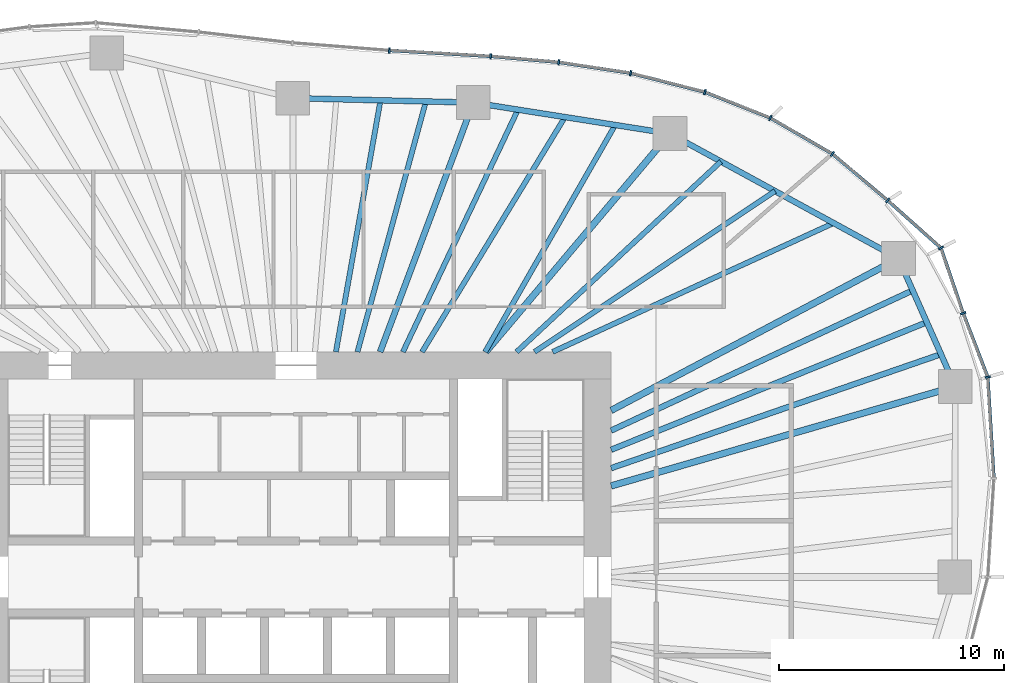
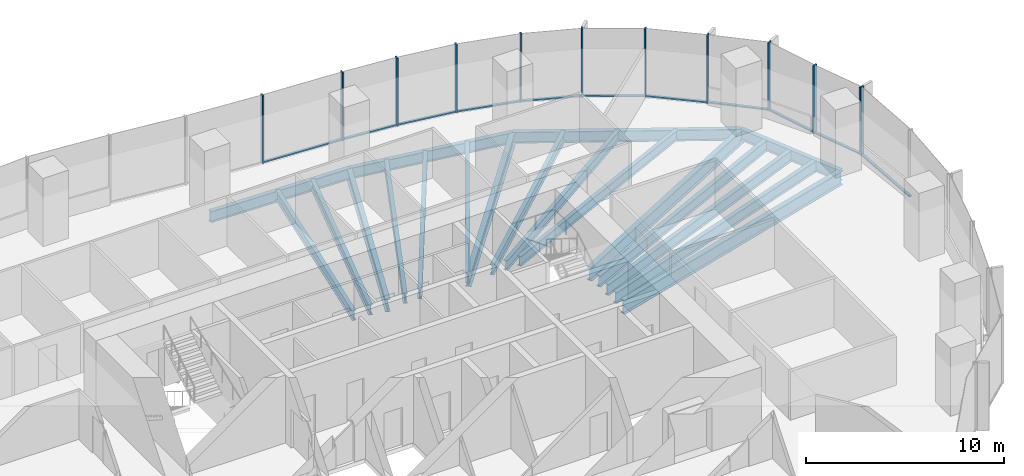
# One storey, part 6 of 18: 22 members, 19 beams, 5 elements without a shape of their own.
"""IFC4 building model written with IfcOpenShell, lengths in metres."""

from ifc_helpers import new_model, si_unit, direction, frame, origin, origin_2d, place, context, subcontext, project, spatial, rectangle, i_section, extrude, material, material_profile, profile_set, type_object, element, aggregate, save


model = new_model("IFC4")

# Units and contexts
model_context = context("Model", 3, precision=1e-05, world=origin(), true_north=direction((0.0, 1.0)))
body_context = subcontext(model_context, "Body", "Model", "MODEL_VIEW")
ifc_project = project(units=[si_unit("LENGTHUNIT", "METRE"), si_unit("AREAUNIT", "SQUARE_METRE"), si_unit("VOLUMEUNIT", "CUBIC_METRE"), si_unit("PLANEANGLEUNIT", "RADIAN"), si_unit("MASSUNIT", "GRAM", prefix="KILO")], contexts=[model_context])

# Site, building, storey
site_placement = place(None, origin())
site = spatial("IfcSite", under=ifc_project, at=site_placement, CompositionType="ELEMENT")
building_placement = place(site_placement, origin())
building = spatial("IfcBuilding", under=site, at=building_placement, Name="Ghaith Harvest Tower", CompositionType="ELEMENT")
storey_placement = place(building_placement, frame((0.0, 0.0, 113.39990234375)))
storey = spatial("IfcBuildingStorey", under=building, at=storey_placement, Name="L23", CompositionType="ELEMENT", Elevation=113.39990234375)

# Curtain wall, members
ifc_material_1 = material(Name="Black anodised aluminium and fritted glass", Category="aluminium")
curtain_wall_type = type_object("IfcCurtainWallType", Name="CW-L CURTAIN WALL", PredefinedType="NOTDEFINED", material=ifc_material_1)
curtain_wall_1_placement = place(storey_placement, origin())
curtain_wall_1 = element("IfcCurtainWall", 1, at=curtain_wall_1_placement, inside=storey, type_object=curtain_wall_type, Name="Curtain wall CW-L bay 02 L23", PredefinedType="NOTDEFINED")
ifc_material_2 = material(Name="Aluminium, black anodised", Category="aluminium")
ifc_material_profile_1 = material_profile(ifc_material_2, rectangle(XDim=0.080078125, YDim=0.239990234375, at=origin_2d()), Name="CW-L MULLION 80x240")
ifc_profile_set_1 = profile_set([ifc_material_profile_1], Name="Aluminium, black anodised")
member_type_1 = type_object("IfcMemberType", Name="CW-L MULLION 80x240", PredefinedType="MULLION", material=ifc_profile_set_1)
member_1_placement = place(storey_placement, frame((30.727294921875, 8.880859375, 0.0), z_axis=(0.0, 0.0, 1.0), x_axis=(-0.183070248196, 0.983099834313, 0.0)))
member_1 = element("IfcMember", 2, at=member_1_placement, type_object=member_type_1, Name="CW-L mullion 1 bay 02 L23", PredefinedType="MULLION", context=body_context, shape_type="SweptSolid", body=[
    extrude(rectangle(XDim=0.080078125, YDim=0.239990234375, at=origin_2d()), origin(), (0.0, 0.0, 1.0), 4.2001953125),
])
member_2_placement = place(storey_placement, frame((29.634521484375, 11.7158203125, 0.0), z_axis=(0.0, 0.0, 1.0), x_axis=(-0.340771198528, 0.940146260033, 0.0)))
member_2 = element("IfcMember", 3, at=member_2_placement, type_object=member_type_1, Name="CW-L mullion 2 bay 02 L23", PredefinedType="MULLION", context=body_context, shape_type="SweptSolid", body=[
    extrude(rectangle(XDim=0.080078125, YDim=0.239990234375, at=origin_2d()), origin(), (0.0, 0.0, 1.0), 4.2001953125),
])
member_3_placement = place(storey_placement, frame((28.64990234375, 14.61181640625, 0.0), z_axis=(0.0, 0.0, 1.0), x_axis=(-0.556324287652, 0.830965274225, 0.0)))
member_3 = element("IfcMember", 4, at=member_3_placement, type_object=member_type_1, Name="CW-L mullion 3 bay 02 L23", PredefinedType="MULLION", context=body_context, shape_type="SweptSolid", body=[
    extrude(rectangle(XDim=0.080078125, YDim=0.239990234375, at=origin_2d()), origin(), (0.0, 0.0, 1.0), 4.2001953125),
])

curtain_wall_2_placement = place(storey_placement, origin())
curtain_wall_2 = element("IfcCurtainWall", 5, at=curtain_wall_2_placement, inside=storey, type_object=curtain_wall_type, Name="Curtain wall CW-L bay 03 L23", PredefinedType="NOTDEFINED")
member_4_placement = place(storey_placement, frame((26.28076171875, 16.725341796875, 0.0), z_axis=(0.0, 0.0, 1.0), x_axis=(-0.755999423268, 0.654572281737, 0.0)))
member_4 = element("IfcMember", 6, at=member_4_placement, type_object=member_type_1, Name="CW-L mullion 1 bay 03 L23", PredefinedType="MULLION", context=body_context, shape_type="SweptSolid", body=[
    extrude(rectangle(XDim=0.080078125, YDim=0.239990234375, at=origin_2d()), origin(), (0.0, 0.0, 1.0), 4.2001953125),
])
member_5_placement = place(storey_placement, frame((23.82177734375, 18.792236328125, 0.0), z_axis=(0.0, 0.0, 1.0), x_axis=(-0.818228862146, 0.574892624018, 0.0)))
member_5 = element("IfcMember", 7, at=member_5_placement, type_object=member_type_1, Name="CW-L mullion 2 bay 03 L23", PredefinedType="MULLION", context=body_context, shape_type="SweptSolid", body=[
    extrude(rectangle(XDim=0.080078125, YDim=0.239990234375, at=origin_2d()), origin(), (0.0, 0.0, 1.0), 4.2001953125),
])
member_6_placement = place(storey_placement, frame((21.066162109375, 20.38916015625, 0.0), z_axis=(0.0, 0.0, 1.0), x_axis=(-0.899713343282, 0.436481270985, 0.0)))
member_6 = element("IfcMember", 8, at=member_6_placement, type_object=member_type_1, Name="CW-L mullion 3 bay 03 L23", PredefinedType="MULLION", context=body_context, shape_type="SweptSolid", body=[
    extrude(rectangle(XDim=0.080078125, YDim=0.239990234375, at=origin_2d()), origin(), (0.0, 0.0, 1.0), 4.2001953125),
])

curtain_wall_3_placement = place(storey_placement, origin())
curtain_wall_3 = element("IfcCurtainWall", 9, at=curtain_wall_3_placement, inside=storey, type_object=curtain_wall_type, Name="Curtain wall CW-L bay 04 L23", PredefinedType="NOTDEFINED")
member_7_placement = place(storey_placement, frame((18.162353515625, 21.537841796875, 0.0), z_axis=(0.0, 0.0, 1.0), x_axis=(-0.952152258113, 0.30562407852, 0.0)))
member_7 = element("IfcMember", 10, at=member_7_placement, type_object=member_type_1, Name="CW-L mullion 1 bay 04 L23", PredefinedType="MULLION", context=body_context, shape_type="SweptSolid", body=[
    extrude(rectangle(XDim=0.080078125, YDim=0.239990234375, at=origin_2d()), origin(), (0.0, 0.0, 1.0), 4.2001953125),
])
member_8_placement = place(storey_placement, frame((14.86474609375, 22.379638671875, 0.0), z_axis=(0.0, 0.0, 1.0), x_axis=(-0.979751952122, 0.200215165041, 0.0)))
member_8 = element("IfcMember", 11, at=member_8_placement, type_object=member_type_1, Name="CW-L mullion 2 bay 04 L23", PredefinedType="MULLION", context=body_context, shape_type="SweptSolid", body=[
    extrude(rectangle(XDim=0.080078125, YDim=0.239990234375, at=origin_2d()), origin(), (0.0, 0.0, 1.0), 4.2001953125),
])
member_9_placement = place(storey_placement, frame((11.672607421875, 22.864013671875, 0.0), z_axis=(0.0, 0.0, 1.0), x_axis=(-0.992800497873, 0.119779678673, 0.0)))
member_9 = element("IfcMember", 12, at=member_9_placement, type_object=member_type_1, Name="CW-L mullion 3 bay 04 L23", PredefinedType="MULLION", context=body_context, shape_type="SweptSolid", body=[
    extrude(rectangle(XDim=0.080078125, YDim=0.239990234375, at=origin_2d()), origin(), (0.0, 0.0, 1.0), 4.2001953125),
])

curtain_wall_4_placement = place(storey_placement, origin())
curtain_wall_4 = element("IfcCurtainWall", 13, at=curtain_wall_4_placement, inside=storey, type_object=curtain_wall_type, Name="Curtain wall CW-L bay 05 L23", PredefinedType="NOTDEFINED")
member_10_placement = place(storey_placement, frame((8.646728515625, 23.1298828125, 0.0), z_axis=(0.0, 0.0, 1.0), x_axis=(-0.997558767319, 0.069831982257, 0.0)))
member_10 = element("IfcMember", 14, at=member_10_placement, type_object=member_type_1, Name="CW-L mullion 1 bay 05 L23", PredefinedType="MULLION", context=body_context, shape_type="SweptSolid", body=[
    extrude(rectangle(XDim=0.080078125, YDim=0.239990234375, at=origin_2d()), origin(), (0.0, 0.0, 1.0), 4.2001953125),
])
member_11_placement = place(storey_placement, frame((4.146728515625, 23.390869140625, 0.0), z_axis=(0.0, 0.0, 1.0), x_axis=(-0.997689895047, 0.067932858925, 0.0)))
member_11 = element("IfcMember", 15, at=member_11_placement, type_object=member_type_1, Name="CW-L mullion 2 bay 05 L23", PredefinedType="MULLION", context=body_context, shape_type="SweptSolid", body=[
    extrude(rectangle(XDim=0.080078125, YDim=0.239990234375, at=origin_2d()), origin(), (0.0, 0.0, 1.0), 4.2001953125),
])

# Curtain wall, member
curtain_wall_5_placement = place(storey_placement, origin())
curtain_wall_5 = element("IfcCurtainWall", 16, at=curtain_wall_5_placement, inside=storey, type_object=curtain_wall_type, Name="Curtain wall CW-L bay 01 L23", PredefinedType="NOTDEFINED")
ifc_material_3 = material(Name="Aluminium, black anodised", Category="aluminium")
ifc_material_profile_2 = material_profile(ifc_material_3, rectangle(XDim=0.14990234375, YDim=0.080078125, at=origin_2d()), Name="CW-L TRANSOM 150x80")
ifc_profile_set_2 = profile_set([ifc_material_profile_2], Name="Aluminium, black anodised")
member_type_2 = type_object("IfcMemberType", Name="CW-L TRANSOM 150x80", PredefinedType="USERDEFINED", material=ifc_profile_set_2)
member_12_placement = place(storey_placement, frame((30.996337890625, 4.4296875, 0.0400390625), z_axis=(-0.060328261132, 0.99817859169, 0.0), x_axis=(-0.99817859169, -0.060328261132, 0.0)))
member_12 = element("IfcMember", 17, at=member_12_placement, type_object=member_type_2, Name="CW-L transom 2 bay 01 L23", ObjectType="TRANSOM", PredefinedType="USERDEFINED", context=body_context, shape_type="SweptSolid", body=[
    extrude(rectangle(XDim=0.14990234375, YDim=0.080078125, at=origin_2d()), origin(), (0.0, 0.0, 1.0), 4.419189453125),
])
aggregate(curtain_wall_5, [member_12])

# Member
member_13_placement = place(storey_placement, frame((30.712890625, 8.918212890625, 0.0400390625), z_axis=(-0.359637050526, 0.933092274048, 0.0), x_axis=(-0.933092274048, -0.359637050526, 0.0)))
member_13 = element("IfcMember", 18, at=member_13_placement, type_object=member_type_2, Name="CW-L transom 1 bay 02 L23", ObjectType="TRANSOM", PredefinedType="USERDEFINED", context=body_context, shape_type="SweptSolid", body=[
    extrude(rectangle(XDim=0.14990234375, YDim=0.080078125, at=origin_2d()), origin(), (0.0, 0.0, 1.0), 2.95849609375),
])

member_14_placement = place(storey_placement, frame((29.62158203125, 11.75390625, 0.0400390625), z_axis=(-0.321877752664, 0.946781237847, 0.0), x_axis=(-0.946781237847, -0.321877752664, 0.0)))
member_14 = element("IfcMember", 19, at=member_14_placement, type_object=member_type_2, Name="CW-L transom 2 bay 02 L23", ObjectType="TRANSOM", PredefinedType="USERDEFINED", context=body_context, shape_type="SweptSolid", body=[
    extrude(rectangle(XDim=0.14990234375, YDim=0.080078125, at=origin_2d()), origin(), (0.0, 0.0, 1.0), 2.978515625),
])

member_15_placement = place(storey_placement, frame((28.6201171875, 14.638427734375, 0.0400390625), z_axis=(-0.74622871112, 0.665689650438, 0.0), x_axis=(-0.665689650438, -0.74622871112, 0.0)))
member_15 = element("IfcMember", 20, at=member_15_placement, type_object=member_type_2, Name="CW-L transom 3 bay 02 L23", ObjectType="TRANSOM", PredefinedType="USERDEFINED", context=body_context, shape_type="SweptSolid", body=[
    extrude(rectangle(XDim=0.14990234375, YDim=0.080078125, at=origin_2d()), origin(), (0.0, 0.0, 1.0), 3.094970703125),
])

aggregate(curtain_wall_1, [member_1, member_13, member_2, member_14, member_3, member_15])

member_16_placement = place(storey_placement, frame((26.25, 16.7509765625, 0.0400390625), z_axis=(-0.765428400685, 0.643521066808, 0.0), x_axis=(-0.643521066808, -0.765428400685, 0.0)))
member_16 = element("IfcMember", 21, at=member_16_placement, type_object=member_type_2, Name="CW-L transom 1 bay 03 L23", ObjectType="TRANSOM", PredefinedType="USERDEFINED", context=body_context, shape_type="SweptSolid", body=[
    extrude(rectangle(XDim=0.14990234375, YDim=0.080078125, at=origin_2d()), origin(), (0.0, 0.0, 1.0), 3.132080078125),
])

member_17_placement = place(storey_placement, frame((23.787353515625, 18.812255859375, 0.0400390625), z_axis=(-0.865212673937, 0.50140505468, 0.0), x_axis=(-0.50140505468, -0.865212673937, 0.0)))
member_17 = element("IfcMember", 22, at=member_17_placement, type_object=member_type_2, Name="CW-L transom 2 bay 03 L23", ObjectType="TRANSOM", PredefinedType="USERDEFINED", context=body_context, shape_type="SweptSolid", body=[
    extrude(rectangle(XDim=0.14990234375, YDim=0.080078125, at=origin_2d()), origin(), (0.0, 0.0, 1.0), 3.10498046875),
])

member_18_placement = place(storey_placement, frame((21.029052734375, 20.40380859375, 0.0400390625), z_axis=(-0.929880954826, 0.367860584804, 0.0), x_axis=(-0.367860584804, -0.929880954826, 0.0)))
member_18 = element("IfcMember", 23, at=member_18_placement, type_object=member_type_2, Name="CW-L transom 3 bay 03 L23", ObjectType="TRANSOM", PredefinedType="USERDEFINED", context=body_context, shape_type="SweptSolid", body=[
    extrude(rectangle(XDim=0.14990234375, YDim=0.080078125, at=origin_2d()), origin(), (0.0, 0.0, 1.0), 3.04296875),
])

aggregate(curtain_wall_2, [member_4, member_16, member_5, member_17, member_6, member_18])

member_19_placement = place(storey_placement, frame((18.12353515625, 21.5478515625, 0.0400390625), z_axis=(-0.968942433805, 0.247286392614, 0.0), x_axis=(-0.247286392614, -0.968942433805, 0.0)))
member_19 = element("IfcMember", 24, at=member_19_placement, type_object=member_type_2, Name="CW-L transom 1 bay 04 L23", ObjectType="TRANSOM", PredefinedType="USERDEFINED", context=body_context, shape_type="SweptSolid", body=[
    extrude(rectangle(XDim=0.14990234375, YDim=0.080078125, at=origin_2d()), origin(), (0.0, 0.0, 1.0), 3.3232421875),
])

member_20_placement = place(storey_placement, frame((14.8251953125, 22.3857421875, 0.0400390625), z_axis=(-0.988680676153, 0.150035064572, 0.0), x_axis=(-0.150035064572, -0.988680676153, 0.0)))
member_20 = element("IfcMember", 25, at=member_20_placement, type_object=member_type_2, Name="CW-L transom 2 bay 04 L23", ObjectType="TRANSOM", PredefinedType="USERDEFINED", context=body_context, shape_type="SweptSolid", body=[
    extrude(rectangle(XDim=0.14990234375, YDim=0.080078125, at=origin_2d()), origin(), (0.0, 0.0, 1.0), 3.148681640625),
])

member_21_placement = place(storey_placement, frame((11.632568359375, 22.86767578125, 0.0400390625), z_axis=(-0.996171193061, 0.087423990507, 0.0), x_axis=(-0.087423990507, -0.996171193061, 0.0)))
member_21 = element("IfcMember", 26, at=member_21_placement, type_object=member_type_2, Name="CW-L transom 3 bay 04 L23", ObjectType="TRANSOM", PredefinedType="USERDEFINED", context=body_context, shape_type="SweptSolid", body=[
    extrude(rectangle(XDim=0.14990234375, YDim=0.080078125, at=origin_2d()), origin(), (0.0, 0.0, 1.0), 2.957275390625),
])

aggregate(curtain_wall_3, [member_7, member_19, member_8, member_20, member_9, member_21])

member_22_placement = place(storey_placement, frame((8.60693359375, 23.132080078125, 0.0400390625), z_axis=(-0.998319515187, 0.057949509028, 0.0), x_axis=(-0.057949509028, -0.998319515187, 0.0)))
member_22 = element("IfcMember", 27, at=member_22_placement, type_object=member_type_2, Name="CW-L transom 1 bay 05 L23", ObjectType="TRANSOM", PredefinedType="USERDEFINED", context=body_context, shape_type="SweptSolid", body=[
    extrude(rectangle(XDim=0.14990234375, YDim=0.080078125, at=origin_2d()), origin(), (0.0, 0.0, 1.0), 4.427734375),
])

aggregate(curtain_wall_4, [member_10, member_22, member_11])

# Beams
ifc_material_4 = material(Name="Steel ASTM A992 Grade 50", Category="steel")
ifc_material_profile_3 = material_profile(ifc_material_4, i_section(OverallWidth=0.25390625, OverallDepth=0.68408203125, WebThickness=0.012451171875, FlangeThickness=0.018798828125, at=origin_2d()), Name="W690X140")
ifc_profile_set_3 = profile_set([ifc_material_profile_3], Name="Steel ASTM A992 Grade 50")
beam_type_1 = type_object("IfcBeamType", Name="E690-140 W690X140", PredefinedType="SPANDREL", material=ifc_profile_set_3)
beam_1_placement = place(storey_placement, frame((29.285888671875, 8.464111328125, -0.511962890625), z_axis=(-0.405635615749, 0.914034872002, 0.0), x_axis=(-0.914034872002, -0.405635615749, 0.0)))
element("IfcBeam", 28, at=beam_1_placement, inside=storey, type_object=beam_type_1, Name="Edge beam E02 L23", PredefinedType="SPANDREL", context=body_context, shape_type="SweptSolid", body=[
    extrude(i_section(OverallWidth=0.25390625, OverallDepth=0.68408203125, WebThickness=0.012451171875, FlangeThickness=0.018798828125, at=origin_2d()), origin(), (0.0, 0.0, 1.0), 6.21728515625),
])
beam_2_placement = place(storey_placement, frame((26.763916015625, 14.14697265625, -0.511962890625), z_axis=(-0.877588218279, 0.479415184509, 0.0), x_axis=(-0.479415184509, -0.877588218279, 0.0)))
element("IfcBeam", 29, at=beam_2_placement, inside=storey, type_object=beam_type_1, Name="Edge beam E03 L23", PredefinedType="SPANDREL", context=body_context, shape_type="SweptSolid", body=[
    extrude(i_section(OverallWidth=0.25390625, OverallDepth=0.68408203125, WebThickness=0.012451171875, FlangeThickness=0.018798828125, at=origin_2d()), origin(), (0.0, 0.0, 1.0), 11.57275390625),
])
beam_3_placement = place(storey_placement, frame((16.60791015625, 19.695068359375, -0.511962890625), z_axis=(-0.987788485872, 0.155800857439, 0.0), x_axis=(-0.155800857439, -0.987788485872, 0.0)))
element("IfcBeam", 30, at=beam_3_placement, inside=storey, type_object=beam_type_1, Name="Edge beam E04 L23", PredefinedType="SPANDREL", context=body_context, shape_type="SweptSolid", body=[
    extrude(i_section(OverallWidth=0.25390625, OverallDepth=0.68408203125, WebThickness=0.012451171875, FlangeThickness=0.018798828125, at=origin_2d()), origin(), (0.0, 0.0, 1.0), 8.837890625),
])
beam_4_placement = place(storey_placement, frame((7.8779296875, 21.072021484375, -0.511962890625), z_axis=(-0.999692679676, 0.024790042413, 0.0), x_axis=(-0.024790042413, -0.999692679676, 0.0)))
element("IfcBeam", 31, at=beam_4_placement, inside=storey, type_object=beam_type_1, Name="Edge beam E05 L23", PredefinedType="SPANDREL", context=body_context, shape_type="SweptSolid", body=[
    extrude(i_section(OverallWidth=0.25390625, OverallDepth=0.68408203125, WebThickness=0.012451171875, FlangeThickness=0.018798828125, at=origin_2d()), origin(), (0.0, 0.0, 1.0), 8.0263671875),
])
ifc_material_5 = material(Name="Steel ASTM A992 Grade 50", Category="steel")
ifc_material_profile_4 = material_profile(ifc_material_5, i_section(OverallWidth=0.26806640625, OverallDepth=0.77001953125, WebThickness=0.015625, FlangeThickness=0.025390625, at=origin_2d()), Name="W760X196")
ifc_profile_set_4 = profile_set([ifc_material_profile_4], Name="Steel ASTM A992 Grade 50")
beam_type_2 = type_object("IfcBeamType", Name="G760-196 W760X196", PredefinedType="BEAM", material=ifc_profile_set_4)
beam_5_placement = place(storey_placement, frame((3.73828125, 10.0, -0.554931640625), z_axis=(0.350206582147, 0.936672488024, 0.0), x_axis=(-0.936672488024, 0.350206582147, 0.0)))
element("IfcBeam", 32, at=beam_5_placement, inside=storey, type_object=beam_type_2, Name="Radial girder G05 L23", PredefinedType="BEAM", context=body_context, shape_type="SweptSolid", body=[
    extrude(i_section(OverallWidth=0.26806640625, OverallDepth=0.77001953125, WebThickness=0.015625, FlangeThickness=0.025390625, at=origin_2d()), origin(), (0.0, 0.0, 1.0), 11.820556640625),
])
ifc_material_6 = material(Name="Steel ASTM A992 Grade 50", Category="steel")
ifc_material_profile_5 = material_profile(ifc_material_6, i_section(OverallWidth=0.2939453125, OverallDepth=0.85107421875, WebThickness=0.01611328125, FlangeThickness=0.02685546875, at=origin_2d()), Name="W840X226")
ifc_profile_set_5 = profile_set([ifc_material_profile_5], Name="Steel ASTM A992 Grade 50")
beam_type_3 = type_object("IfcBeamType", Name="G840-226 W840X226", PredefinedType="BEAM", material=ifc_profile_set_5)
beam_6_placement = place(storey_placement, frame((14.0, 4.04638671875, -0.595458984375), z_axis=(0.960683993303, 0.27764413376, 0.0), x_axis=(-0.27764413376, 0.960683993303, 0.0)))
element("IfcBeam", 33, at=beam_6_placement, inside=storey, type_object=beam_type_3, Name="Radial girder G02 L23", PredefinedType="BEAM", context=body_context, shape_type="SweptSolid", body=[
    extrude(i_section(OverallWidth=0.2939453125, OverallDepth=0.85107421875, WebThickness=0.01611328125, FlangeThickness=0.02685546875, at=origin_2d()), origin(), (0.0, 0.0, 1.0), 15.911376953125),
])
beam_7_placement = place(storey_placement, frame((14.0, 7.39990234375, -0.595458984375), z_axis=(0.884082663971, 0.467330550324, 0.0), x_axis=(-0.467330550324, 0.884082663971, 0.0)))
element("IfcBeam", 34, at=beam_7_placement, inside=storey, type_object=beam_type_3, Name="Radial girder G03 L23", PredefinedType="BEAM", context=body_context, shape_type="SweptSolid", body=[
    extrude(i_section(OverallWidth=0.2939453125, OverallDepth=0.85107421875, WebThickness=0.01611328125, FlangeThickness=0.02685546875, at=origin_2d()), origin(), (0.0, 0.0, 1.0), 14.4375),
])
beam_8_placement = place(storey_placement, frame((8.4326171875, 10.0, -0.595458984375), z_axis=(0.644644245772, 0.764482698557, 0.0), x_axis=(-0.764482698557, 0.644644245772, 0.0)))
element("IfcBeam", 35, at=beam_8_placement, inside=storey, type_object=beam_type_3, Name="Radial girder G04 L23", PredefinedType="BEAM", context=body_context, shape_type="SweptSolid", body=[
    extrude(i_section(OverallWidth=0.2939453125, OverallDepth=0.85107421875, WebThickness=0.01611328125, FlangeThickness=0.02685546875, at=origin_2d()), origin(), (0.0, 0.0, 1.0), 12.681884765625),
])
ifc_material_7 = material(Name="Steel ASTM A992 Grade 50", Category="steel")
ifc_material_profile_6 = material_profile(ifc_material_7, i_section(OverallWidth=0.22900390625, OverallDepth=0.612060546875, WebThickness=0.011962890625, FlangeThickness=0.01953125, at=origin_2d()), Name="W610X125")
ifc_profile_set_6 = profile_set([ifc_material_profile_6], Name="Steel ASTM A992 Grade 50")
beam_type_4 = type_object("IfcBeamType", Name="J610-125 W610X125", PredefinedType="JOIST", material=ifc_profile_set_6)
beam_9_placement = place(storey_placement, frame((11.39990234375, 10.0, -0.475830078125), z_axis=(0.909014022454, 0.416765529983, 0.0), x_axis=(-0.416765529983, 0.909014022454, 0.0)))
element("IfcBeam", 36, at=beam_9_placement, inside=storey, type_object=beam_type_4, Name="Joist J03.1 L23", PredefinedType="JOIST", context=body_context, shape_type="SweptSolid", body=[
    extrude(i_section(OverallWidth=0.22900390625, OverallDepth=0.612060546875, WebThickness=0.011962890625, FlangeThickness=0.01953125, at=origin_2d()), origin(), (0.0, 0.0, 1.0), 13.72998046875),
])
beam_10_placement = place(storey_placement, frame((10.60009765625, 10.0, -0.475830078125), z_axis=(0.831116486766, 0.556098359489, 0.0), x_axis=(-0.556098359489, 0.831116486766, 0.0)))
element("IfcBeam", 37, at=beam_10_placement, inside=storey, type_object=beam_type_4, Name="Joist J03.2 L23", PredefinedType="JOIST", context=body_context, shape_type="SweptSolid", body=[
    extrude(i_section(OverallWidth=0.22900390625, OverallDepth=0.612060546875, WebThickness=0.011962890625, FlangeThickness=0.01953125, at=origin_2d()), origin(), (0.0, 0.0, 1.0), 12.84716796875),
])
beam_11_placement = place(storey_placement, frame((9.800048828125, 10.0, -0.475830078125), z_axis=(0.731538123562, 0.681800538116, 0.0), x_axis=(-0.681800538116, 0.731538123562, 0.0)))
element("IfcBeam", 38, at=beam_11_placement, inside=storey, type_object=beam_type_4, Name="Joist J03.3 L23", PredefinedType="JOIST", context=body_context, shape_type="SweptSolid", body=[
    extrude(i_section(OverallWidth=0.22900390625, OverallDepth=0.612060546875, WebThickness=0.011962890625, FlangeThickness=0.01953125, at=origin_2d()), origin(), (0.0, 0.0, 1.0), 12.404052734375),
])
beam_12_placement = place(storey_placement, frame((8.39990234375, 10.0, -0.475830078125), z_axis=(0.497444212127, 0.867495968764, 0.0), x_axis=(-0.867495968764, 0.497444212127, 0.0)))
element("IfcBeam", 39, at=beam_12_placement, inside=storey, type_object=beam_type_4, Name="Joist J04.1 L23", PredefinedType="JOIST", context=body_context, shape_type="SweptSolid", body=[
    extrude(i_section(OverallWidth=0.22900390625, OverallDepth=0.612060546875, WebThickness=0.011962890625, FlangeThickness=0.01953125, at=origin_2d()), origin(), (0.0, 0.0, 1.0), 11.617431640625),
])
beam_13_placement = place(storey_placement, frame((5.60009765625, 10.0, -0.475830078125), z_axis=(0.519863845761, 0.854249133374, 0.0), x_axis=(-0.854249133374, 0.519863845761, 0.0)))
element("IfcBeam", 40, at=beam_13_placement, inside=storey, type_object=beam_type_4, Name="Joist J04.2 L23", PredefinedType="JOIST", context=body_context, shape_type="SweptSolid", body=[
    extrude(i_section(OverallWidth=0.22900390625, OverallDepth=0.612060546875, WebThickness=0.011962890625, FlangeThickness=0.01953125, at=origin_2d()), origin(), (0.0, 0.0, 1.0), 12.209716796875),
])
beam_14_placement = place(storey_placement, frame((4.75, 10.0, -0.475830078125), z_axis=(0.429069356877, 0.903271546651, 0.0), x_axis=(-0.903271546651, 0.429069356877, 0.0)))
element("IfcBeam", 41, at=beam_14_placement, inside=storey, type_object=beam_type_4, Name="Joist J04.3 L23", PredefinedType="JOIST", context=body_context, shape_type="SweptSolid", body=[
    extrude(i_section(OverallWidth=0.22900390625, OverallDepth=0.612060546875, WebThickness=0.011962890625, FlangeThickness=0.01953125, at=origin_2d()), origin(), (0.0, 0.0, 1.0), 11.911376953125),
])
beam_15_placement = place(storey_placement, frame((2.73095703125, 10.0, -0.475830078125), z_axis=(0.263455967932, 0.964671422279, 0.0), x_axis=(-0.964671422279, 0.263455967932, 0.0)))
element("IfcBeam", 42, at=beam_15_placement, inside=storey, type_object=beam_type_4, Name="Joist J05.1 L23", PredefinedType="JOIST", context=body_context, shape_type="SweptSolid", body=[
    extrude(i_section(OverallWidth=0.22900390625, OverallDepth=0.612060546875, WebThickness=0.011962890625, FlangeThickness=0.01953125, at=origin_2d()), origin(), (0.0, 0.0, 1.0), 11.53173828125),
])
beam_16_placement = place(storey_placement, frame((1.772705078125, 10.0, -0.475830078125), z_axis=(0.17455599258, 0.984647249249, 0.0), x_axis=(-0.984647249249, 0.17455599258, 0.0)))
element("IfcBeam", 43, at=beam_16_placement, inside=storey, type_object=beam_type_4, Name="Joist J05.2 L23", PredefinedType="JOIST", context=body_context, shape_type="SweptSolid", body=[
    extrude(i_section(OverallWidth=0.22900390625, OverallDepth=0.612060546875, WebThickness=0.011962890625, FlangeThickness=0.01953125, at=origin_2d()), origin(), (0.0, 0.0, 1.0), 11.3486328125),
])
ifc_material_8 = material(Name="Steel ASTM A992 Grade 50", Category="steel")
ifc_material_profile_7 = material_profile(ifc_material_8, i_section(OverallWidth=0.25390625, OverallDepth=0.68408203125, WebThickness=0.012451171875, FlangeThickness=0.018798828125, at=origin_2d()), Name="W690X140")
ifc_profile_set_7 = profile_set([ifc_material_profile_7], Name="Steel ASTM A992 Grade 50")
beam_type_5 = type_object("IfcBeamType", Name="J690-140 W690X140", PredefinedType="JOIST", material=ifc_profile_set_7)
beam_17_placement = place(storey_placement, frame((14.0, 4.835693359375, -0.511962890625), z_axis=(0.945204964965, 0.32647752481, 0.0), x_axis=(-0.32647752481, 0.945204964965, 0.0)))
element("IfcBeam", 44, at=beam_17_placement, inside=storey, type_object=beam_type_5, Name="Joist J02.1 L23", PredefinedType="JOIST", context=body_context, shape_type="SweptSolid", body=[
    extrude(i_section(OverallWidth=0.25390625, OverallDepth=0.68408203125, WebThickness=0.012451171875, FlangeThickness=0.018798828125, at=origin_2d()), origin(), (0.0, 0.0, 1.0), 15.499755859375),
])
beam_18_placement = place(storey_placement, frame((14.0, 5.653564453125, -0.511962890625), z_axis=(0.927247874511, 0.374448099495, 0.0), x_axis=(-0.374448099495, 0.927247874511, 0.0)))
element("IfcBeam", 45, at=beam_18_placement, inside=storey, type_object=beam_type_5, Name="Joist J02.2 L23", PredefinedType="JOIST", context=body_context, shape_type="SweptSolid", body=[
    extrude(i_section(OverallWidth=0.25390625, OverallDepth=0.68408203125, WebThickness=0.012451171875, FlangeThickness=0.018798828125, at=origin_2d()), origin(), (0.0, 0.0, 1.0), 15.12060546875),
])
beam_19_placement = place(storey_placement, frame((14.0, 6.506103515625, -0.511962890625), z_axis=(0.906865717917, 0.42141970726, 0.0), x_axis=(-0.42141970726, 0.906865717917, 0.0)))
element("IfcBeam", 46, at=beam_19_placement, inside=storey, type_object=beam_type_5, Name="Joist J02.3 L23", PredefinedType="JOIST", context=body_context, shape_type="SweptSolid", body=[
    extrude(i_section(OverallWidth=0.25390625, OverallDepth=0.68408203125, WebThickness=0.012451171875, FlangeThickness=0.018798828125, at=origin_2d()), origin(), (0.0, 0.0, 1.0), 14.768310546875),
])

save(model, "model.ifc")
